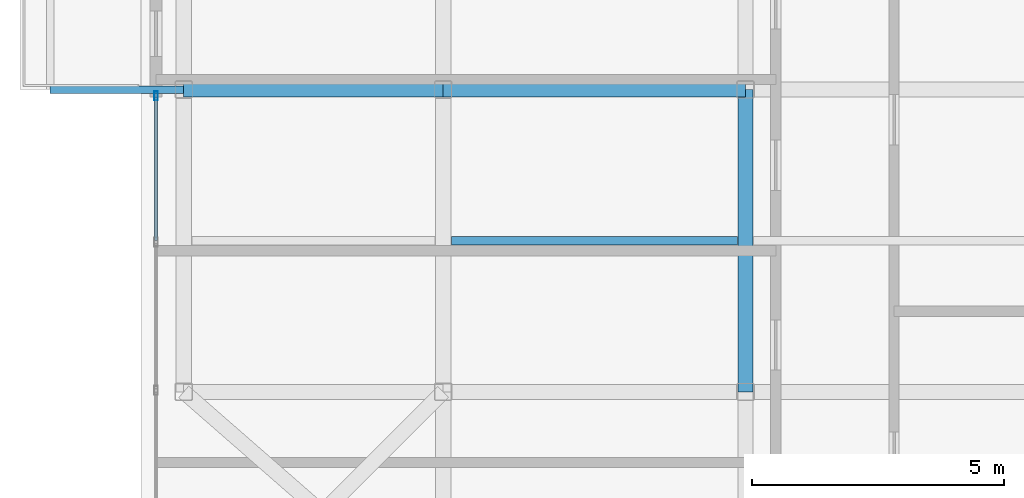
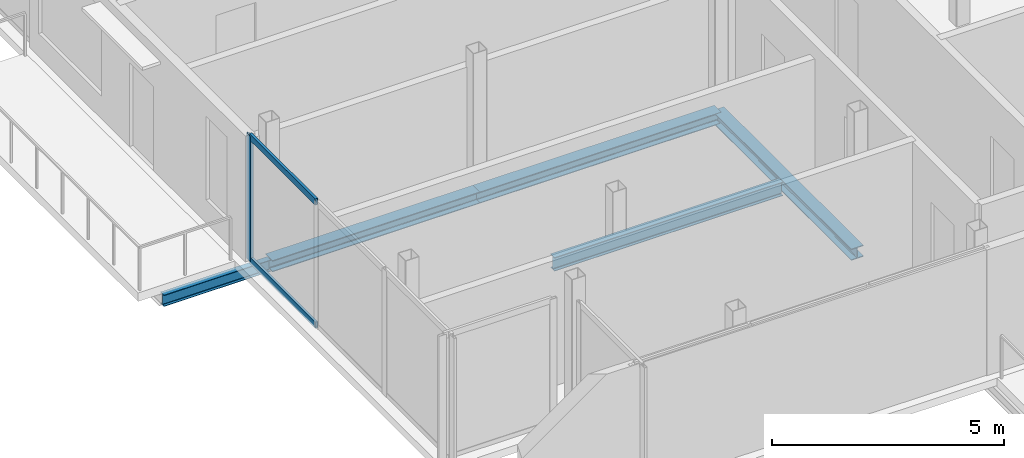
# One storey, part 3 of 18: 5 beams, 3 members, 1 element without a shape of its own.
"""IFC4 building model written with IfcOpenShell, lengths in metres."""

from ifc_helpers import new_model, si_unit, direction, frame, origin, origin_2d, place, context, subcontext, project, spatial, hollow_rectangle, i_section, extrude, material, layer, layer_set, material_profile, profile_set, type_object, element, aggregate, save


model = new_model("IFC4")

# Units and contexts
model_context = context("Model", 3, precision=1e-05, world=origin(), true_north=direction((0.0, 1.0)))
body_context = subcontext(model_context, "Body", "Model", "MODEL_VIEW")
ifc_project = project(units=[si_unit("LENGTHUNIT", "METRE"), si_unit("AREAUNIT", "SQUARE_METRE"), si_unit("VOLUMEUNIT", "CUBIC_METRE"), si_unit("PLANEANGLEUNIT", "RADIAN"), si_unit("MASSUNIT", "GRAM", prefix="KILO"), si_unit("THERMODYNAMICTEMPERATUREUNIT", "KELVIN"), si_unit("POWERUNIT", "WATT")], contexts=[model_context])

# Site, building, storey
site_placement = place(None, origin())
site = spatial("IfcSite", under=ifc_project, at=site_placement, CompositionType="ELEMENT")
building_placement = place(site_placement, origin())
building = spatial("IfcBuilding", under=site, at=building_placement, Name="Svarakhadi Broadcast Tower", CompositionType="ELEMENT")
storey_placement = place(building_placement, frame((0.0, 0.0, 281.699951171875)))
storey = spatial("IfcBuildingStorey", under=building, at=storey_placement, Name="L71", CompositionType="ELEMENT", Elevation=281.699951171875)

# Beam
ifc_material_1 = material(Name="Steel S355J2 (IS 2062 E350C)", Category="steel")
ifc_material_profile_1 = material_profile(ifc_material_1, i_section(OverallWidth=0.169921875, OverallDepth=0.360107421875, WebThickness=0.008056640625, FlangeThickness=0.0126953125, FilletRadius=0.01806640625, at=origin_2d()), Name="NPB 360x170x57")
ifc_profile_set_1 = profile_set([ifc_material_profile_1], Name="Steel S355J2 (IS 2062 E350C)")
beam_type_1 = type_object("IfcBeamType", Name="Beam_NPB360", PredefinedType="BEAM", material=ifc_profile_set_1)
beam_1_placement = place(storey_placement, frame((6.159912109375, 9.0, -0.3798828125), z_axis=(1.0, 0.0, 0.0), x_axis=(0.0, 1.0, 0.0)))
element("IfcBeam", 1, at=beam_1_placement, inside=storey, type_object=beam_type_1, Name="L71 Secondary Composite Beam SB005", PredefinedType="BEAM", context=body_context, shape_type="SweptSolid", body=[
    extrude(i_section(OverallWidth=0.169921875, OverallDepth=0.360107421875, WebThickness=0.008056640625, FlangeThickness=0.0126953125, FilletRadius=0.01806640625, at=origin_2d()), origin(), (0.0, 0.0, 1.0), 5.68017578125),
])

# Curtain wall, members
ifc_material_2 = material(Name="Anodised Bronze Aluminium AA 6063-T6", Category="aluminium")
ifc_layer = layer(ifc_material_2, 0.179931640625)
ifc_layer_set = layer_set([ifc_layer], Name="Anodised Bronze Aluminium AA 6063-T6")
curtain_wall_type = type_object("IfcCurtainWallType", Name="CW_Sys_05", PredefinedType="NOTDEFINED", material=ifc_layer_set)
curtain_wall_placement = place(storey_placement, origin())
curtain_wall = element("IfcCurtainWall", 2, at=curtain_wall_placement, inside=storey, type_object=curtain_wall_type, Name="L71 West Curtain Wall 02", PredefinedType="NOTDEFINED")
ifc_material_profile_2 = material_profile(ifc_material_2, hollow_rectangle(XDim=0.070068359375, YDim=0.179931640625, WallThickness=0.005615234375, at=origin_2d()), Name="ALU MULLION 180x70x6")
ifc_profile_set_2 = profile_set([ifc_material_profile_2], Name="Anodised Bronze Aluminium AA 6063-T6")
member_type_1 = type_object("IfcMemberType", Name="CW_Sys_05_Mul", PredefinedType="MULLION", material=ifc_profile_set_2)
member_1_placement = place(storey_placement, frame((0.300048828125, 11.875, 0.0), z_axis=(0.0, 0.0, 1.0), x_axis=(-1.0, 0.0, 0.0)))
member_1 = element("IfcMember", 3, at=member_1_placement, type_object=member_type_1, Name="CW-05 mullion 4", PredefinedType="MULLION", context=body_context, shape_type="SweptSolid", body=[
    extrude(hollow_rectangle(XDim=0.070068359375, YDim=0.179931640625, WallThickness=0.005615234375, at=origin_2d()), origin(), (0.0, 0.0, 1.0), 3.300048828125),
])
ifc_material_profile_3 = material_profile(ifc_material_2, hollow_rectangle(XDim=0.06494140625, YDim=0.1650390625, WallThickness=0.0048828125, at=origin_2d()), Name="ALU TRANSOM 165x65x5")
ifc_profile_set_3 = profile_set([ifc_material_profile_3], Name="Anodised Bronze Aluminium AA 6063-T6")
member_type_2 = type_object("IfcMemberType", Name="CW_Sys_05_Trn", PredefinedType="USERDEFINED", material=ifc_profile_set_3)
member_2_placement = place(storey_placement, frame((0.300048828125, 9.0048828125, 0.032470703125), z_axis=(0.0, 1.0, 0.0), x_axis=(-1.0, 0.0, 0.0)))
member_2 = element("IfcMember", 4, at=member_2_placement, type_object=member_type_2, Name="CW-05 transom 3.1", ObjectType="TRANSOM", PredefinedType="USERDEFINED", context=body_context, shape_type="SweptSolid", body=[
    extrude(hollow_rectangle(XDim=0.06494140625, YDim=0.1650390625, WallThickness=0.0048828125, at=origin_2d()), origin(), (0.0, 0.0, 1.0), 2.835205078125),
])
member_3_placement = place(storey_placement, frame((0.300048828125, 9.0048828125, 3.267578125), z_axis=(0.0, 1.0, 0.0), x_axis=(-1.0, 0.0, 0.0)))
member_3 = element("IfcMember", 5, at=member_3_placement, type_object=member_type_2, Name="CW-05 transom 3.2", ObjectType="TRANSOM", PredefinedType="USERDEFINED", context=body_context, shape_type="SweptSolid", body=[
    extrude(hollow_rectangle(XDim=0.06494140625, YDim=0.1650390625, WallThickness=0.0048828125, at=origin_2d()), origin(), (0.0, 0.0, 1.0), 2.835205078125),
])
aggregate(curtain_wall, [member_1, member_2, member_3])

# Beams
ifc_material_profile_4 = material_profile(ifc_material_1, i_section(OverallWidth=0.300048828125, OverallDepth=0.300048828125, WebThickness=0.010986328125, FlangeThickness=0.01904296875, FilletRadius=0.027099609375, at=origin_2d()), Name="WPB 300x300x117")
ifc_profile_set_4 = profile_set([ifc_material_profile_4], Name="Steel S355J2 (IS 2062 E350C)")
beam_type_2 = type_object("IfcBeamType", Name="Girder_WPB300", PredefinedType="USERDEFINED", material=ifc_profile_set_4)
beam_2_placement = place(storey_placement, frame((0.85009765625, 12.0, -0.349853515625), z_axis=(1.0, 0.0, 0.0), x_axis=(0.0, 1.0, 0.0)))
element("IfcBeam", 6, at=beam_2_placement, inside=storey, type_object=beam_type_2, Name="L71 Primary E-W Girder G013", ObjectType="GIRDER", PredefinedType="USERDEFINED", context=body_context, shape_type="SweptSolid", body=[
    extrude(i_section(OverallWidth=0.300048828125, OverallDepth=0.300048828125, WebThickness=0.010986328125, FlangeThickness=0.01904296875, FilletRadius=0.027099609375, at=origin_2d()), origin(), (0.0, 0.0, 1.0), 5.14990234375),
])
for number, where, z_axis, x_axis, name in (
    (7, (6.0, 12.0, -0.349853515625), (1.0, 0.0, 0.0), (0.0, 1.0, 0.0), "L71 Primary E-W Girder G014"),
    (8, (12.0, 6.0, -0.349853515625), (0.0, 1.0, 0.0), (-1.0, 0.0, 0.0), "L71 Primary N-S Girder G034"),
):
    element("IfcBeam", number, at=place(storey_placement, frame(where, z_axis=z_axis, x_axis=x_axis)), inside=storey, type_object=beam_type_2, Name=name, ObjectType="GIRDER", PredefinedType="USERDEFINED", context=body_context, shape_type="SweptSolid", body=[
        extrude(i_section(OverallWidth=0.300048828125, OverallDepth=0.300048828125, WebThickness=0.010986328125, FlangeThickness=0.01904296875, FilletRadius=0.027099609375, at=origin_2d()), origin(), (0.0, 0.0, 1.0), 6.0),
    ])
ifc_material_profile_5 = material_profile(ifc_material_1, i_section(OverallWidth=0.14990234375, OverallDepth=0.300048828125, WebThickness=0.007080078125, FlangeThickness=0.0107421875, FilletRadius=0.014892578125, at=origin_2d()), Name="NPB 300x150x37")
ifc_profile_set_5 = profile_set([ifc_material_profile_5], Name="Steel S355J2 (IS 2062 E350C)")
beam_type_3 = type_object("IfcBeamType", Name="Spandrel_NPB300", PredefinedType="SPANDREL", material=ifc_profile_set_5)
beam_3_placement = place(storey_placement, frame((0.85009765625, 12.0, -0.375), z_axis=(-1.0, 0.0, 0.0), x_axis=(0.0, -1.0, 0.0)))
element("IfcBeam", 9, at=beam_3_placement, inside=storey, type_object=beam_type_3, Name="L71 Balcony Cantilever Bracket 2A", PredefinedType="SPANDREL", context=body_context, shape_type="SweptSolid", body=[
    extrude(i_section(OverallWidth=0.14990234375, OverallDepth=0.300048828125, WebThickness=0.007080078125, FlangeThickness=0.0107421875, FilletRadius=0.014892578125, at=origin_2d()), origin(), (0.0, 0.0, 1.0), 2.650146484375),
])

save(model, "model.ifc")
